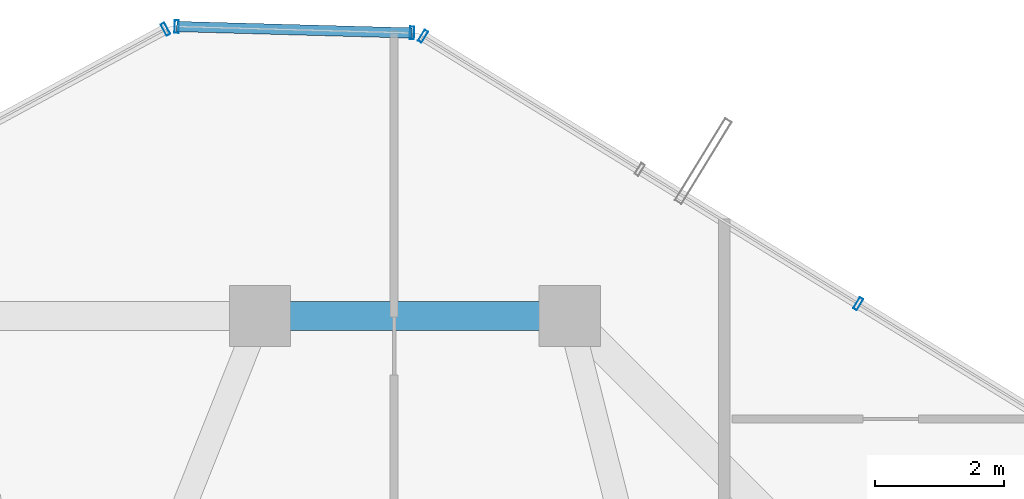
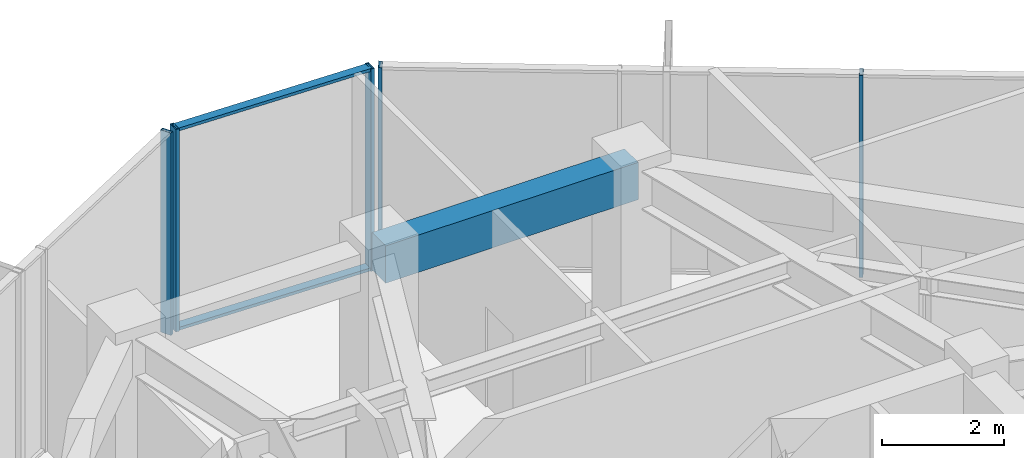
# One storey, part 15 of 22: 7 members, 1 beam, 3 elements without a shape of their own.
"""IFC4 building model written with IfcOpenShell, lengths in metres."""

from ifc_helpers import new_model, si_unit, direction, frame, origin, origin_2d, place, context, subcontext, project, spatial, rectangle, hollow_rectangle, extrude, source, transform, mapped, material, layer, layer_set, material_profile, profile_set, type_object, element, aggregate, save


model = new_model("IFC4")

# Units and contexts
model_context = context("Model", 3, precision=1e-05, world=origin(), true_north=direction((0.0, 1.0)))
body_context = subcontext(model_context, "Body", "Model", "MODEL_VIEW")
ifc_project = project(units=[si_unit("LENGTHUNIT", "METRE"), si_unit("AREAUNIT", "SQUARE_METRE"), si_unit("VOLUMEUNIT", "CUBIC_METRE"), si_unit("PLANEANGLEUNIT", "RADIAN"), si_unit("MASSUNIT", "GRAM", prefix="KILO")], contexts=[model_context])

# Site, building, storey
site_placement = place(None, origin())
site = spatial("IfcSite", under=ifc_project, at=site_placement, CompositionType="ELEMENT")
building_placement = place(site_placement, origin())
building = spatial("IfcBuilding", under=site, at=building_placement, Name="Veraguas Prism Commons", CompositionType="ELEMENT")
storey_placement = place(building_placement, frame((0.0, 0.0, 211.35009765625)))
storey = spatial("IfcBuildingStorey", under=building, at=storey_placement, Name="L60", CompositionType="ELEMENT", Elevation=211.35009765625)

# Beam
ifc_material_1 = material(Name="Concrete C50/60", Category="concrete")
ifc_material_profile_1 = material_profile(ifc_material_1, rectangle(XDim=0.449951171875, YDim=0.75, at=origin_2d()), Name="RC450X750")
ifc_profile_set_1 = profile_set([ifc_material_profile_1], Name="Concrete C50/60")
beam_type = type_object("IfcBeamType", Name="Perimeter Spandrel Upper RC 450x750", PredefinedType="SPANDREL", material=ifc_profile_set_1)
beam_placement = place(storey_placement, frame((28.800048828125, 38.89990234375, 3.68994140625), z_axis=(-1.0, 0.0, 0.0), x_axis=(0.0, -1.0, 0.0)))
element("IfcBeam", 1, at=beam_placement, inside=storey, type_object=beam_type, Name="Perimeter Spandrel Beam L60-SP04", PredefinedType="SPANDREL", context=body_context, shape_type="SweptSolid", body=[
    extrude(rectangle(XDim=0.449951171875, YDim=0.75, at=origin_2d()), origin(), (0.0, 0.0, 1.0), 4.800048828125),
])

# Curtain wall, members
ifc_material_2 = material(Name="Anodised aluminium EN AW-6063 T6", Category="aluminium")
ifc_layer = layer(ifc_material_2, 0.199951171875, Name="Sky Lobby and Pool Acoustic Curtain Wall", Category="aluminium")
ifc_layer_set = layer_set([ifc_layer], Name="Anodised aluminium EN AW-6063 T6")
curtain_wall_type = type_object("IfcCurtainWallType", Name="Sky Lobby and Pool Acoustic Curtain Wall", PredefinedType="NOTDEFINED", material=ifc_layer_set)
curtain_wall_1_placement = place(storey_placement, origin())
curtain_wall_1 = element("IfcCurtainWall", 2, at=curtain_wall_1_placement, inside=storey, type_object=curtain_wall_type, Name="Chamfer Curtain Wall L60-C2", PredefinedType="NOTDEFINED")
ifc_material_profile_2 = material_profile(ifc_material_2, hollow_rectangle(XDim=0.06005859375, YDim=0.159912109375, WallThickness=0.0029296875, at=origin_2d()), Name="AL60X160X3")
ifc_profile_set_2 = profile_set([ifc_material_profile_2], Name="Anodised aluminium EN AW-6063 T6")
member_type_1 = type_object("IfcMemberType", Name="Curtain Wall Transom Heavy AL 60x160x3", PredefinedType="USERDEFINED", material=ifc_profile_set_2)
shared_shape_1 = source(origin(), body_context, "Body", "SweptSolid", [
    extrude(hollow_rectangle(XDim=0.06005859375, YDim=0.159912109375, WallThickness=0.0029296875, at=origin_2d()), origin(), (0.0, 0.0, 1.0), 3.6494140625),
])
member_1_placement = place(storey_placement, frame((26.357421875, 43.285400390625, 0.02978515625), z_axis=(-0.999620073648, 0.027562807545, 0.0), x_axis=(0.0, 0.0, 1.0)))
member_1 = element("IfcMember", 3, at=member_1_placement, type_object=member_type_1, Name="CW-SKY Transom 1", ObjectType="TRANSOM", PredefinedType="USERDEFINED", context=body_context, shape_type="MappedRepresentation", body=[
    mapped(shared_shape_1, transform((0.0, 0.0, 0.0), scale=1.0)),
])
member_2_placement = place(storey_placement, frame((26.357421875, 43.285400390625, 4.034912109375), z_axis=(-0.999620073648, 0.027562807545, 0.0), x_axis=(0.0, 0.0, 1.0)))
member_2 = element("IfcMember", 4, at=member_2_placement, type_object=member_type_1, Name="CW-SKY Transom 2", ObjectType="TRANSOM", PredefinedType="USERDEFINED", context=body_context, shape_type="MappedRepresentation", body=[
    mapped(shared_shape_1, transform((0.0, 0.0, 0.0), scale=1.0)),
])

curtain_wall_2_placement = place(storey_placement, origin())
curtain_wall_2 = element("IfcCurtainWall", 5, at=curtain_wall_2_placement, inside=storey, type_object=curtain_wall_type, Name="Tower Facade Curtain Wall L60-F1", PredefinedType="NOTDEFINED")
ifc_material_profile_3 = material_profile(ifc_material_2, hollow_rectangle(XDim=0.06494140625, YDim=0.199951171875, WallThickness=0.00390625, at=origin_2d()), Name="AL65X200X4")
ifc_profile_set_3 = profile_set([ifc_material_profile_3], Name="Anodised aluminium EN AW-6063 T6")
member_type_2 = type_object("IfcMemberType", Name="Curtain Wall Mullion Heavy AL 65x200x4", PredefinedType="MULLION", material=ifc_profile_set_3)
shared_shape_2 = source(origin(), body_context, "Body", "SweptSolid", [
    extrude(hollow_rectangle(XDim=0.06494140625, YDim=0.199951171875, WallThickness=0.00390625, at=origin_2d()), origin(), (0.0, 0.0, 1.0), 4.06494140625),
])
member_3_placement = place(storey_placement, frame((33.274658203125, 39.08740234375, 0.0), z_axis=(0.0, 0.0, 1.0), x_axis=(-0.851908873825, 0.523690052129, 0.0)))
member_3 = element("IfcMember", 6, at=member_3_placement, type_object=member_type_2, Name="CW-SKY Mullion 3", PredefinedType="MULLION", context=body_context, shape_type="MappedRepresentation", body=[
    mapped(shared_shape_2, transform((0.0, 0.0, 0.0), scale=1.0)),
])
member_4_placement = place(storey_placement, frame((26.528564453125, 43.234375, 0.0), z_axis=(0.0, 0.0, 1.0), x_axis=(-0.851908873825, 0.523690052129, 0.0)))
member_4 = element("IfcMember", 7, at=member_4_placement, type_object=member_type_2, Name="CW-SKY Mullion 5", PredefinedType="MULLION", context=body_context, shape_type="MappedRepresentation", body=[
    mapped(shared_shape_2, transform((0.0, 0.0, 0.0), scale=1.0)),
])
aggregate(curtain_wall_2, [member_3, member_4])

# Curtain wall, member
curtain_wall_3_placement = place(storey_placement, origin())
curtain_wall_3 = element("IfcCurtainWall", 8, at=curtain_wall_3_placement, inside=storey, type_object=curtain_wall_type, Name="Tower Facade Curtain Wall L60-F2", PredefinedType="NOTDEFINED")
member_5_placement = place(storey_placement, frame((22.535400390625, 43.344482421875, 0.0), z_axis=(0.0, 0.0, 1.0), x_axis=(-0.879484156418, -0.475928165389, 0.0)))
member_5 = element("IfcMember", 9, at=member_5_placement, type_object=member_type_2, Name="CW-SKY Mullion 1", PredefinedType="MULLION", context=body_context, shape_type="MappedRepresentation", body=[
    mapped(shared_shape_2, transform((0.0, 0.0, 0.0), scale=1.0)),
])
aggregate(curtain_wall_3, [member_5])

# Member
member_6_placement = place(storey_placement, frame((26.357421875, 43.285400390625, 0.0), z_axis=(0.0, 0.0, 1.0), x_axis=(-0.99962066636, 0.027541303279, 0.0)))
member_6 = element("IfcMember", 10, at=member_6_placement, type_object=member_type_2, Name="CW-SKY Mullion 1", PredefinedType="MULLION", context=body_context, shape_type="MappedRepresentation", body=[
    mapped(shared_shape_2, transform((0.0, 0.0, 0.0), scale=1.0)),
])

member_7_placement = place(storey_placement, frame((22.70947265625, 43.385986328125, 0.0), z_axis=(0.0, 0.0, 1.0), x_axis=(-0.99962066636, 0.027541303279, 0.0)))
member_7 = element("IfcMember", 11, at=member_7_placement, type_object=member_type_2, Name="CW-SKY Mullion 2", PredefinedType="MULLION", context=body_context, shape_type="MappedRepresentation", body=[
    mapped(shared_shape_2, transform((0.0, 0.0, 0.0), scale=1.0)),
])

aggregate(curtain_wall_1, [member_6, member_7, member_1, member_2])

save(model, "model.ifc")
